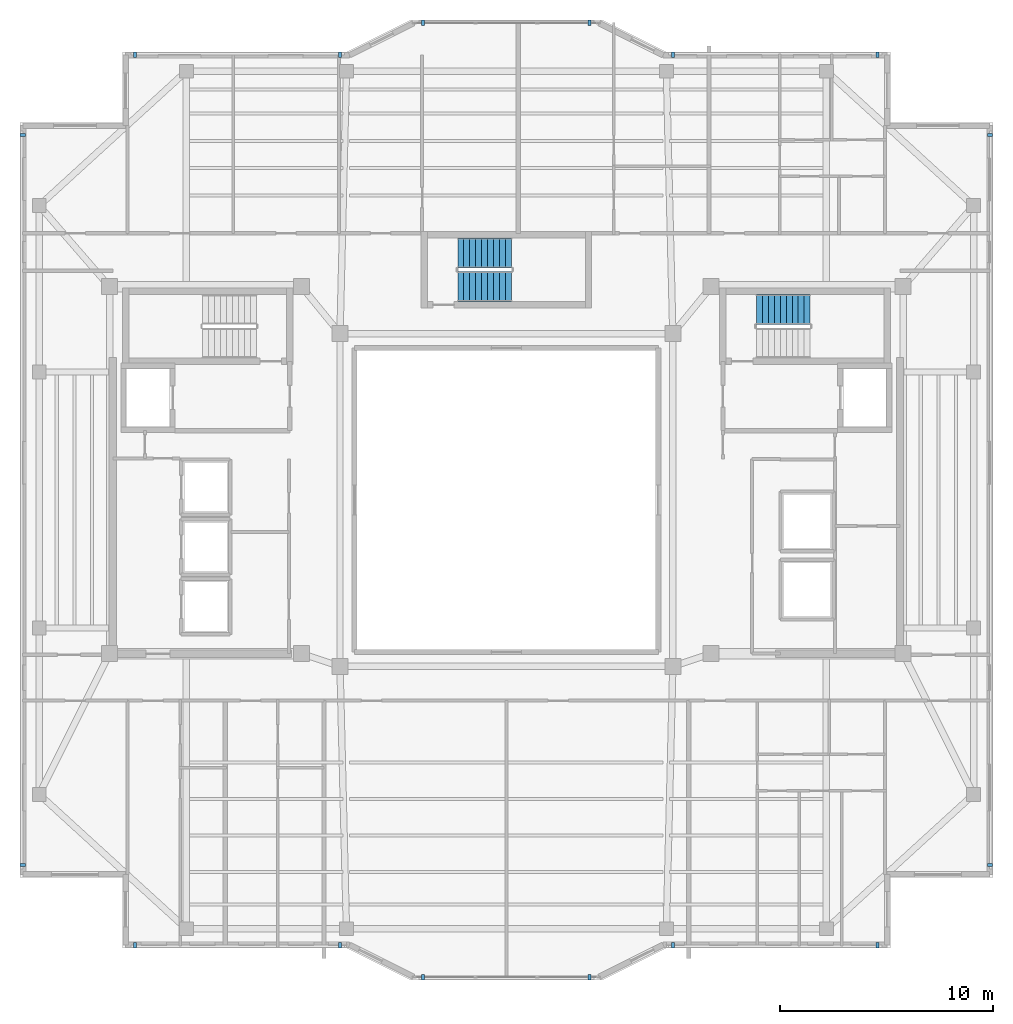
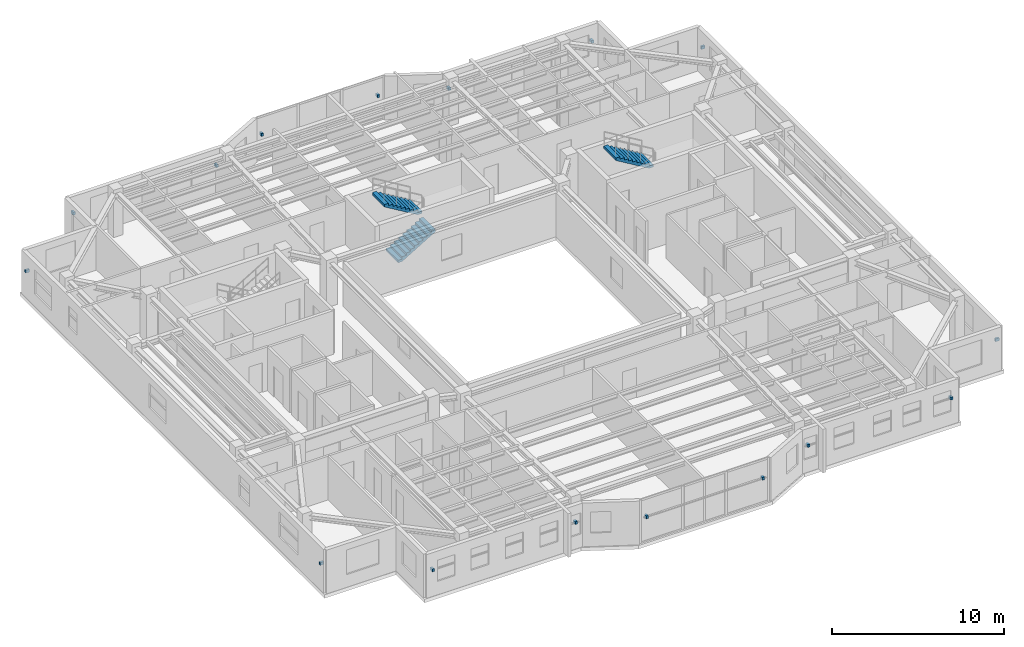
# One storey, part 11 of 14: 16 discrete accessories, 3 stair flights, 2 elements without a shape of their own.
"""IFC4 building model written with IfcOpenShell, lengths in metres."""

from ifc_helpers import new_model, si_unit, direction, frame, origin, origin_2d, place, context, subcontext, project, spatial, polyline, rectangle, outline, extrude, material, type_object, element, aggregate, save


model = new_model("IFC4")

# Units and contexts
model_context = context("Model", 3, precision=1e-05, world=origin(), true_north=direction((0.0, 1.0)))
body_context = subcontext(model_context, "Body", "Model", "MODEL_VIEW")
ifc_project = project(units=[si_unit("LENGTHUNIT", "METRE"), si_unit("AREAUNIT", "SQUARE_METRE"), si_unit("VOLUMEUNIT", "CUBIC_METRE"), si_unit("PLANEANGLEUNIT", "RADIAN"), si_unit("MASSUNIT", "GRAM", prefix="KILO")], contexts=[model_context])

# Site, building, storey
site_placement = place(None, origin())
site = spatial("IfcSite", under=ifc_project, at=site_placement, CompositionType="ELEMENT")
building_placement = place(site_placement, origin())
building = spatial("IfcBuilding", under=site, at=building_placement, Name="Tarnavaz Court Tower", CompositionType="ELEMENT")
storey_placement = place(building_placement, frame((0.0, 0.0, 254.89990234375)))
storey = spatial("IfcBuildingStorey", under=building, at=storey_placement, Name="L69", CompositionType="ELEMENT", Elevation=254.89990234375)

# Stair, stair flight
ifc_material_1 = material(Name="Concrete C40/50", Category="concrete")
stair_type = type_object("IfcStairType", Name="ST-TWR-20R", PredefinedType="HALF_TURN_STAIR", material=ifc_material_1)
stair_1_placement = place(storey_placement, origin())
stair_1 = element("IfcStair", 1, at=stair_1_placement, inside=storey, type_object=stair_type, Name="L69 East Core Pressurized Exit Stair ST-E1", PredefinedType="HALF_TURN_STAIR")
stair_flight_type = type_object("IfcStairFlightType", Name="SFL-RC-20R", PredefinedType="STRAIGHT", material=ifc_material_1)
stair_flight_1_placement = place(storey_placement, frame((14.239990234375, 8.929931640625, 1.675048828125), z_axis=(0.0, 0.0, 1.0), x_axis=(-1.0, 0.0, 0.0)))
stair_flight_1 = element("IfcStairFlight", 2, at=stair_flight_1_placement, type_object=stair_flight_type, Name="ST-E1 flight 2", NumberOfRisers=10, NumberOfTreads=9, PredefinedType="STRAIGHT", RiserHeight=0.1675, TreadLength=0.28, context=body_context, shape_type="SweptSolid", body=[
    extrude(outline(polyline([(0.0, 0.0), (0.0, 0.16748046875), (0.280029296875, 0.16748046875), (0.280029296875, 0.3349609375), (0.56005859375, 0.3349609375), (0.56005859375, 0.50244140625), (0.840087890625, 0.50244140625), (0.840087890625, 0.669921875), (1.1201171875, 0.669921875), (1.1201171875, 0.83740234375), (1.39990234375, 0.83740234375), (1.39990234375, 1.0048828125), (1.679931640625, 1.0048828125), (1.679931640625, 1.172607421875), (1.9599609375, 1.172607421875), (1.9599609375, 1.340087890625), (2.239990234375, 1.340087890625), (2.239990234375, 1.507568359375), (2.52001953125, 1.507568359375), (2.52001953125, 1.675048828125), (2.52001953125, 1.332763671875), (0.2919921875, 0.0), (0.0, 0.0)])), frame((0.0, 0.7099609375, 0.0), z_axis=(0.0, -1.0, 0.0), x_axis=(1.0, 0.0, 0.0)), (0.0, 0.0, 1.0), 1.419921875),
])
aggregate(stair_1, [stair_flight_1])

# Stair, stair flights
stair_2_placement = place(storey_placement, origin())
stair_2 = element("IfcStair", 3, at=stair_2_placement, inside=storey, type_object=stair_type, Name="L69 North Ring Pressurized Exit Stair ST-N1", PredefinedType="HALF_TURN_STAIR")
stair_flight_2_placement = place(storey_placement, frame((-2.280029296875, 10.010009765625, 0.0), z_axis=(0.0, 0.0, 1.0), x_axis=(1.0, 0.0, 0.0)))
stair_flight_2 = element("IfcStairFlight", 4, at=stair_flight_2_placement, type_object=stair_flight_type, Name="ST-N1 flight 1", NumberOfRisers=10, NumberOfTreads=9, PredefinedType="STRAIGHT", RiserHeight=0.1675, TreadLength=0.28, context=body_context, shape_type="SweptSolid", body=[
    extrude(outline(polyline([(0.0, 0.0), (0.0, 0.16748046875), (0.280029296875, 0.16748046875), (0.280029296875, 0.3349609375), (0.56005859375, 0.3349609375), (0.56005859375, 0.50244140625), (0.840087890625, 0.50244140625), (0.840087890625, 0.669921875), (1.1201171875, 0.669921875), (1.1201171875, 0.83740234375), (1.39990234375, 0.83740234375), (1.39990234375, 1.0048828125), (1.679931640625, 1.0048828125), (1.679931640625, 1.172607421875), (1.9599609375, 1.172607421875), (1.9599609375, 1.340087890625), (2.239990234375, 1.340087890625), (2.239990234375, 1.507568359375), (2.52001953125, 1.507568359375), (2.52001953125, 1.675048828125), (2.52001953125, 1.332763671875), (0.2919921875, 0.0), (0.0, 0.0)])), frame((0.0, 0.7099609375, 0.0), z_axis=(0.0, -1.0, 0.0), x_axis=(1.0, 0.0, 0.0)), (0.0, 0.0, 1.0), 1.419921875),
])
stair_flight_3_placement = place(storey_placement, frame((0.239990234375, 11.580078125, 1.675048828125), z_axis=(0.0, 0.0, 1.0), x_axis=(-1.0, 0.0, 0.0)))
stair_flight_3 = element("IfcStairFlight", 5, at=stair_flight_3_placement, type_object=stair_flight_type, Name="ST-N1 flight 2", NumberOfRisers=10, NumberOfTreads=9, PredefinedType="STRAIGHT", RiserHeight=0.1675, TreadLength=0.28, context=body_context, shape_type="SweptSolid", body=[
    extrude(outline(polyline([(0.0, 0.0), (0.0, 0.16748046875), (0.280029296875, 0.16748046875), (0.280029296875, 0.3349609375), (0.56005859375, 0.3349609375), (0.56005859375, 0.50244140625), (0.840087890625, 0.50244140625), (0.840087890625, 0.669921875), (1.1201171875, 0.669921875), (1.1201171875, 0.83740234375), (1.39990234375, 0.83740234375), (1.39990234375, 1.0048828125), (1.679931640625, 1.0048828125), (1.679931640625, 1.172607421875), (1.9599609375, 1.172607421875), (1.9599609375, 1.340087890625), (2.239990234375, 1.340087890625), (2.239990234375, 1.507568359375), (2.52001953125, 1.507568359375), (2.52001953125, 1.675048828125), (2.52001953125, 1.332763671875), (0.2919921875, 0.0), (0.0, 0.0)])), frame((0.0, 0.7099609375, 0.0), z_axis=(0.0, -1.0, 0.0), x_axis=(1.0, 0.0, 0.0)), (0.0, 0.0, 1.0), 1.419921875),
])
aggregate(stair_2, [stair_flight_2, stair_flight_3])

# Discrete accessories
ifc_material_2 = material(Name="Anodised Aluminium 6063-T6", Category="aluminium")
discrete_accessory_type = type_object("IfcDiscreteAccessoryType", Name="DA-BRKT-ALU", PredefinedType="BRACKET", material=ifc_material_2)
for number, where, z_axis, x_axis, name in (
    (6, (-22.669921875, -17.10009765625, 1.75), (0.0, 0.0, 1.0), (0.0, 1.0, 0.0), "L69 Baguette Outrigger Bracket FBG02-1"),
    (7, (-22.669921875, 17.10009765625, 1.75), (0.0, 0.0, 1.0), (0.0, 1.0, 0.0), "L69 Baguette Outrigger Bracket FBG02-2"),
    (8, (-17.39990234375, 20.8701171875, 1.75), (0.0, 0.0, 1.0), (1.0, 0.0, 0.0), "L69 Baguette Outrigger Bracket FBG05-1"),
    (9, (-7.800048828125, 20.8701171875, 1.75), (0.0, 0.0, 1.0), (1.0, 0.0, 0.0), "L69 Baguette Outrigger Bracket FBG05-2"),
    (10, (-3.89990234375, 22.3701171875, 1.7001953125), (0.0, 0.0, 1.0), (1.0, 0.0, 0.0), "L69 Baguette Outrigger Bracket PBG7-1"),
    (11, (3.89990234375, 22.3701171875, 1.7001953125), (0.0, 0.0, 1.0), (1.0, 0.0, 0.0), "L69 Baguette Outrigger Bracket PBG7-2"),
    (12, (7.800048828125, 20.8701171875, 1.75), (0.0, 0.0, 1.0), (1.0, 0.0, 0.0), "L69 Baguette Outrigger Bracket FBG09-1"),
    (13, (17.39990234375, 20.8701171875, 1.75), (0.0, 0.0, 1.0), (1.0, 0.0, 0.0), "L69 Baguette Outrigger Bracket FBG09-2"),
    (14, (22.669921875, 17.10009765625, 1.75), (0.0, 0.0, 1.0), (0.0, -1.0, 0.0), "L69 Baguette Outrigger Bracket FBG12-1"),
    (15, (22.669921875, -17.10009765625, 1.75), (0.0, 0.0, 1.0), (0.0, -1.0, 0.0), "L69 Baguette Outrigger Bracket FBG12-2"),
    (16, (17.39990234375, -20.8701171875, 1.75), (0.0, 0.0, 1.0), (-1.0, 0.0, 0.0), "L69 Baguette Outrigger Bracket FBG15-1"),
    (17, (7.800048828125, -20.8701171875, 1.75), (0.0, 0.0, 1.0), (-1.0, 0.0, 0.0), "L69 Baguette Outrigger Bracket FBG15-2"),
    (18, (3.89990234375, -22.3701171875, 1.7001953125), (0.0, 0.0, 1.0), (-1.0, 0.0, 0.0), "L69 Baguette Outrigger Bracket PBG17-1"),
    (19, (-3.89990234375, -22.3701171875, 1.7001953125), (0.0, 0.0, 1.0), (-1.0, 0.0, 0.0), "L69 Baguette Outrigger Bracket PBG17-2"),
    (20, (-7.800048828125, -20.8701171875, 1.75), (0.0, 0.0, 1.0), (-1.0, 0.0, 0.0), "L69 Baguette Outrigger Bracket FBG19-1"),
    (21, (-17.39990234375, -20.8701171875, 1.75), (0.0, 0.0, 1.0), (-1.0, 0.0, 0.0), "L69 Baguette Outrigger Bracket FBG19-2"),
):
    element("IfcDiscreteAccessory", number, at=place(storey_placement, frame(where, z_axis=z_axis, x_axis=x_axis)), inside=storey, type_object=discrete_accessory_type, Name=name, PredefinedType="BRACKET", context=body_context, shape_type="SweptSolid", body=[
        extrude(rectangle(XDim=0.139892578125, YDim=0.239990234375, at=origin_2d()), origin(), (0.0, 0.0, 1.0), 0.199951171875),
    ])

save(model, "model.ifc")
